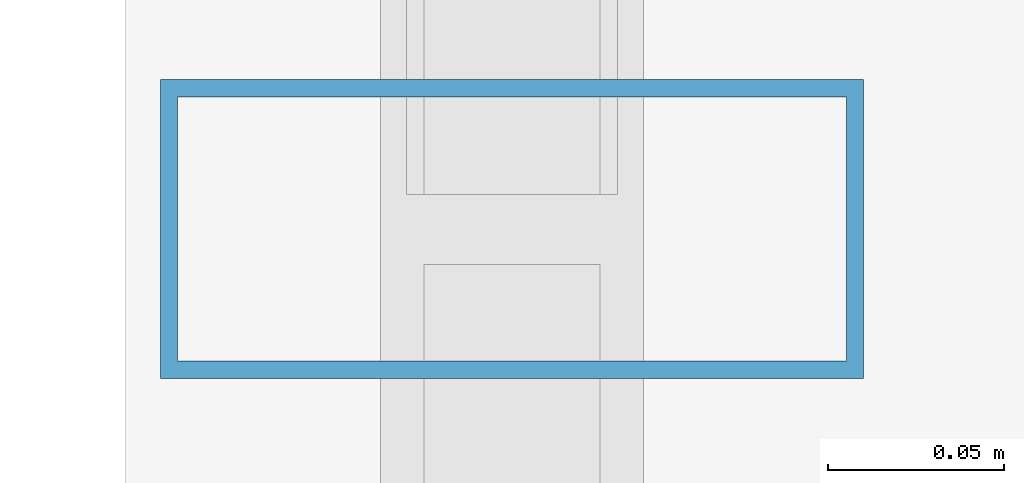
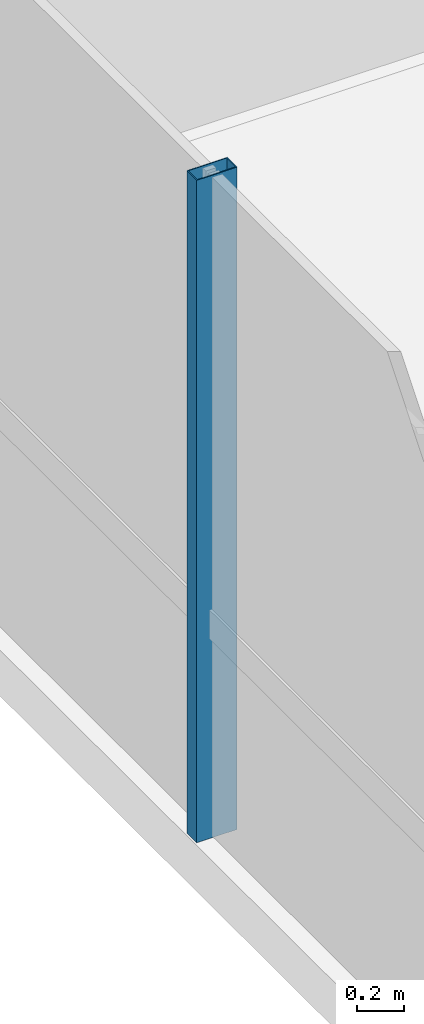
# One storey, part 8 of 42: 1 member, 1 element without a shape of its own.
"""IFC4 building model written with IfcOpenShell, lengths in metres."""

from ifc_helpers import new_model, si_unit, direction, frame, origin, origin_2d, place, context, subcontext, project, spatial, hollow_rectangle, extrude, source, transform, mapped, material, material_profile, profile_set, type_object, element, aggregate, save


model = new_model("IFC4")

# Units and contexts
model_context = context("Model", 3, precision=1e-05, world=origin(), true_north=direction((0.0, 1.0)))
body_context = subcontext(model_context, "Body", "Model", "MODEL_VIEW")
ifc_project = project(units=[si_unit("LENGTHUNIT", "METRE"), si_unit("AREAUNIT", "SQUARE_METRE"), si_unit("VOLUMEUNIT", "CUBIC_METRE"), si_unit("PLANEANGLEUNIT", "RADIAN"), si_unit("MASSUNIT", "GRAM", prefix="KILO")], contexts=[model_context])

# Site, building, storey
site_placement = place(None, origin())
site = spatial("IfcSite", under=ifc_project, at=site_placement, CompositionType="ELEMENT")
building_placement = place(site_placement, origin())
building = spatial("IfcBuilding", under=site, at=building_placement, Name="Valdorenza Pilgrim Sanctuary Tower", CompositionType="ELEMENT")
storey_placement = place(building_placement, frame((0.0, 0.0, 55.60009765625)))
storey = spatial("IfcBuildingStorey", under=building, at=storey_placement, Name="L13", CompositionType="ELEMENT", Elevation=55.60009765625)

# Curtain wall, member
ifc_material_1 = material(Name="Curtain-wall IGU glazing", Category="glass")
curtain_wall_type = type_object("IfcCurtainWallType", Name="CW-SYS-02", PredefinedType="NOTDEFINED", material=ifc_material_1)
curtain_wall_placement = place(storey_placement, origin())
curtain_wall = element("IfcCurtainWall", 1, at=curtain_wall_placement, inside=storey, type_object=curtain_wall_type, Name="L13 Curtain Wall CW-L13-1-1S1", PredefinedType="NOTDEFINED")
ifc_material_2 = material(Name="Anodised aluminium AW-6060", Category="aluminium")
ifc_material_profile = material_profile(ifc_material_2, hollow_rectangle(XDim=0.0849609375, YDim=0.199951171875, WallThickness=0.0048828125, at=origin_2d()), Name="ALU-M 200x85x5")
ifc_profile_set = profile_set([ifc_material_profile], Name="Anodised aluminium AW-6060")
member_type = type_object("IfcMemberType", Name="CW-MUL-02", PredefinedType="MULLION", material=ifc_profile_set)
shared_shape = source(origin(), body_context, "Body", "SweptSolid", [
    extrude(hollow_rectangle(XDim=0.0849609375, YDim=0.199951171875, WallThickness=0.0048828125, at=origin_2d()), origin(), (0.0, 0.0, 1.0), 3.4599609375),
])
member_placement = place(storey_placement, frame((-31.889892578125, -2.594482421875, 0.0), z_axis=(0.0, 0.0, 1.0), x_axis=(0.0, 1.0, 0.0)))
member = element("IfcMember", 2, at=member_placement, type_object=member_type, Name="CW-L13-1-1S1 Mullion 3", PredefinedType="MULLION", context=body_context, shape_type="MappedRepresentation", body=[
    mapped(shared_shape, transform((0.0, 0.0, 0.0), x_axis=(1.0, 0.0, 0.0), y_axis=(0.0, 1.0, 0.0), z_axis=(0.0, 0.0, 1.0), scale=1.0)),
])
aggregate(curtain_wall, [member])

save(model, "model.ifc")
